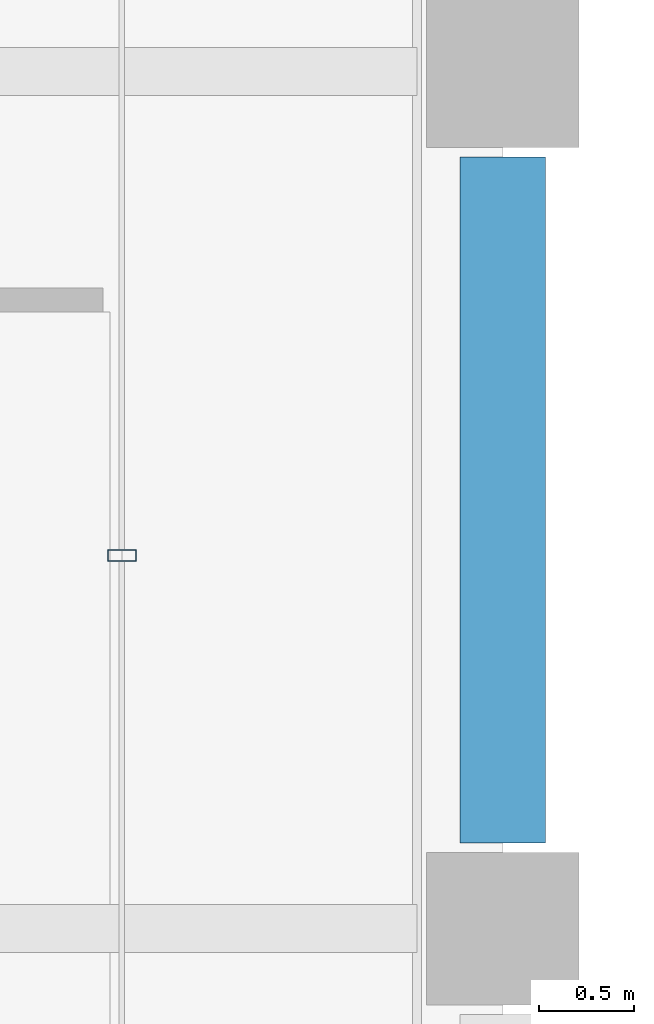
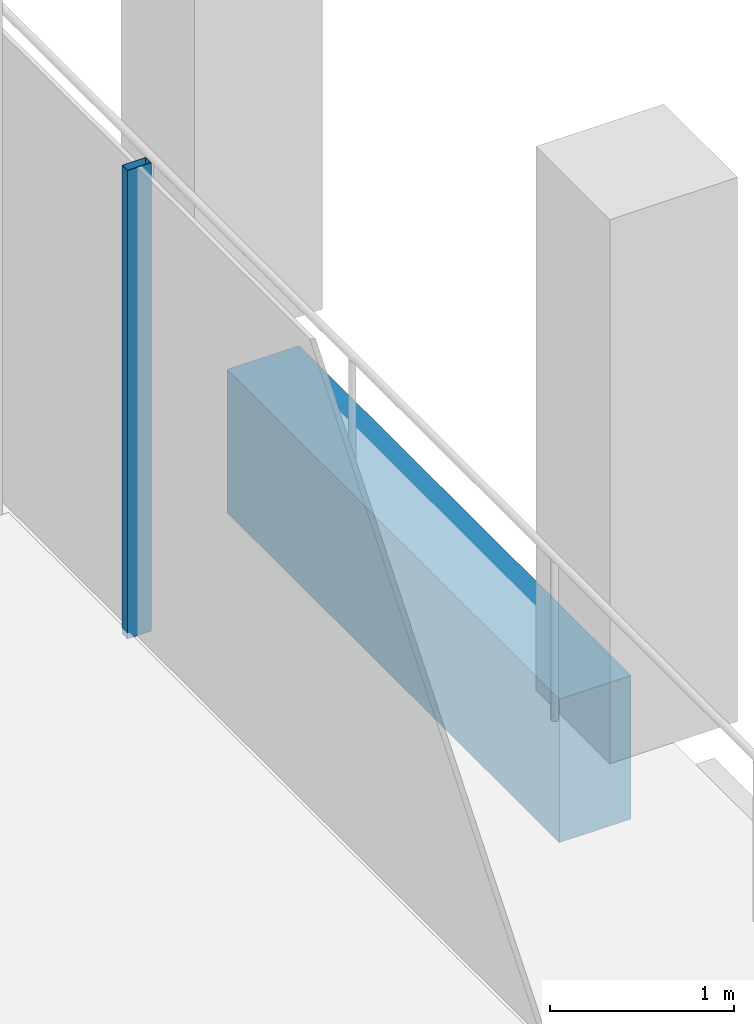
# One storey, part 17 of 40: 1 beam, 1 member, 1 element without a shape of its own.
"""IFC4 building model written with IfcOpenShell, lengths in metres."""

from ifc_helpers import new_model, si_unit, direction, frame, origin, origin_2d, place, context, subcontext, project, spatial, rectangle, hollow_rectangle, extrude, material, material_profile, profile_set, type_object, element, aggregate, save


model = new_model("IFC4")

# Units and contexts
model_context = context("Model", 3, precision=1e-05, world=origin(), true_north=direction((0.0, 1.0)))
body_context = subcontext(model_context, "Body", "Model", "MODEL_VIEW")
ifc_project = project(units=[si_unit("LENGTHUNIT", "METRE"), si_unit("AREAUNIT", "SQUARE_METRE"), si_unit("VOLUMEUNIT", "CUBIC_METRE"), si_unit("PLANEANGLEUNIT", "RADIAN"), si_unit("MASSUNIT", "GRAM", prefix="KILO")], contexts=[model_context])

# Site, building, storey
site_placement = place(None, origin())
site = spatial("IfcSite", under=ifc_project, at=site_placement, CompositionType="ELEMENT")
building_placement = place(site_placement, origin())
building = spatial("IfcBuilding", under=site, at=building_placement, Name="Altepetl Exchange Towers", CompositionType="ELEMENT")
storey_placement = place(building_placement, frame((0.0, 0.0, 195.60009765625)))
storey = spatial("IfcBuildingStorey", under=building, at=storey_placement, Name="L49", CompositionType="ELEMENT", Elevation=195.60009765625)

# Curtain wall, member
ifc_material_1 = material(Name="Aluminium 6063-T6 glazing", Category="aluminium")
curtain_wall_type = type_object("IfcCurtainWallType", Name="Loggia glazing system", PredefinedType="NOTDEFINED", material=ifc_material_1)
curtain_wall_placement = place(storey_placement, origin())
curtain_wall = element("IfcCurtainWall", 1, at=curtain_wall_placement, inside=storey, type_object=curtain_wall_type, Name="CW1 run", PredefinedType="NOTDEFINED")
ifc_material_2 = material(Name="Aluminium 6063-T6", Category="aluminium")
ifc_material_profile_1 = material_profile(ifc_material_2, hollow_rectangle(XDim=0.06005859375, YDim=0.14990234375, WallThickness=0.0029296875, at=origin_2d()), Name="Mullion 60x150 aluminium")
ifc_profile_set_1 = profile_set([ifc_material_profile_1], Name="Aluminium 6063-T6")
member_type = type_object("IfcMemberType", Name="Mullion 60x150 aluminium", PredefinedType="MULLION", material=ifc_profile_set_1)
member_placement = place(storey_placement, frame((70.0, 46.9580078125, 0.0), z_axis=(0.0, 0.0, 1.0), x_axis=(0.0, 1.0, 0.0)))
member = element("IfcMember", 2, at=member_placement, type_object=member_type, Name="MU1 mullion", PredefinedType="MULLION", context=body_context, shape_type="SweptSolid", body=[
    extrude(hollow_rectangle(XDim=0.06005859375, YDim=0.14990234375, WallThickness=0.0029296875, at=origin_2d()), origin(), (0.0, 0.0, 1.0), 3.099853515625),
])
aggregate(curtain_wall, [member])

# Beam
ifc_material_3 = material(Name="Concrete C50/60 precast with cantera amarilla facing", Category="concrete")
ifc_material_profile_2 = material_profile(ifc_material_3, rectangle(XDim=0.449951171875, YDim=0.949951171875, at=origin_2d()), Name="450 x 950")
ifc_profile_set_2 = profile_set([ifc_material_profile_2], Name="Concrete C50/60 precast with cantera amarilla facing")
beam_type = type_object("IfcBeamType", Name="Spandrel beam 450x950 cantera amarilla", PredefinedType="SPANDREL", material=ifc_profile_set_2)
beam_placement = place(storey_placement, frame((72.0, 45.449951171875, -0.625), z_axis=(0.0, 1.0, 0.0), x_axis=(-1.0, 0.0, 0.0)))
element("IfcBeam", 3, at=beam_placement, inside=storey, type_object=beam_type, Name="sp:A:L49:015", PredefinedType="SPANDREL", context=body_context, shape_type="SweptSolid", body=[
    extrude(rectangle(XDim=0.449951171875, YDim=0.949951171875, at=origin_2d()), origin(), (0.0, 0.0, 1.0), 3.60009765625),
])

save(model, "model.ifc")
